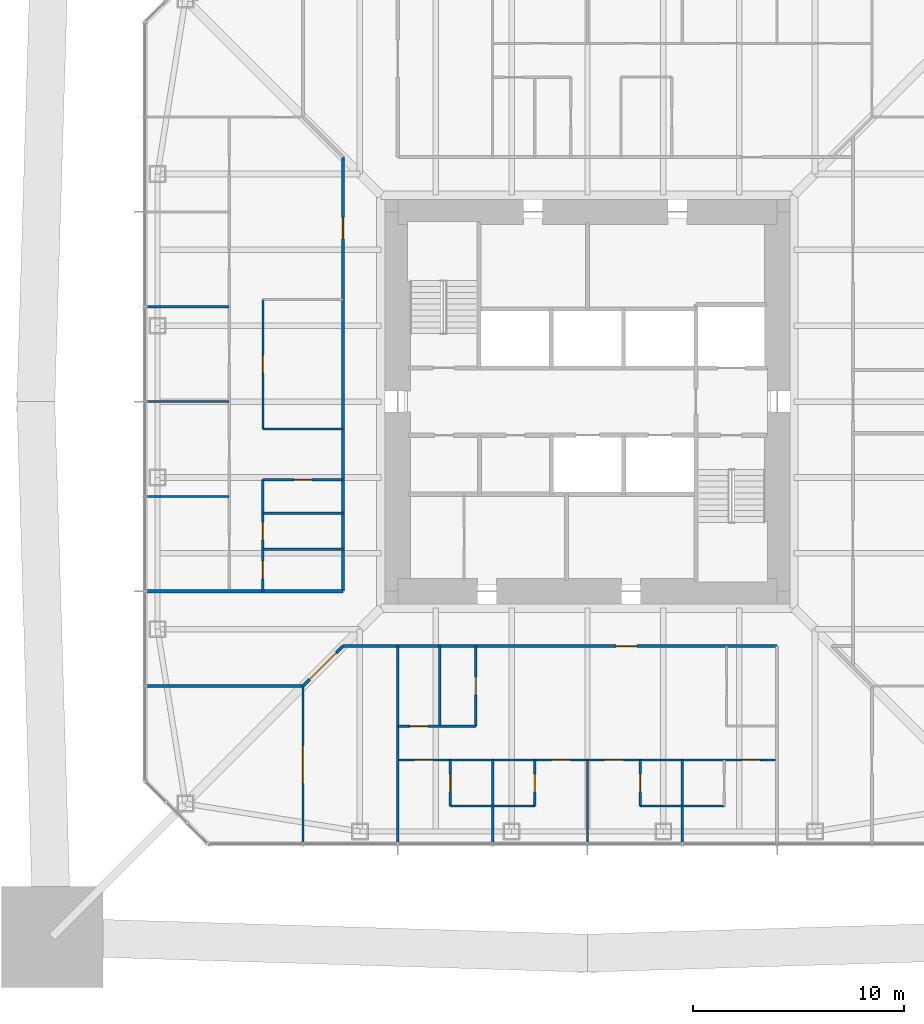
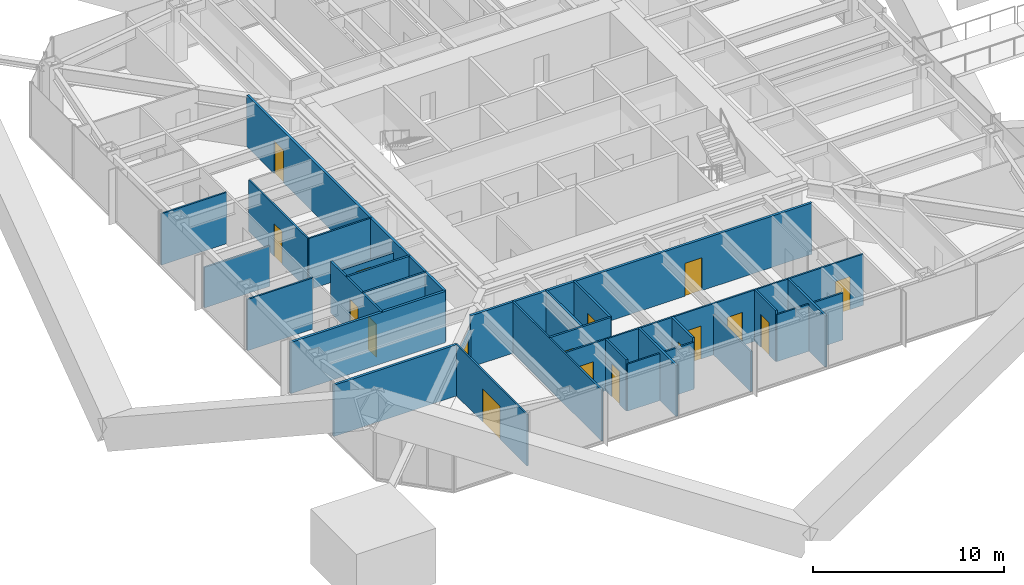
# One storey, part 17 of 28: 28 walls, 17 doors, 17 openings.
"""IFC4 building model written with IfcOpenShell, lengths in metres."""

from ifc_helpers import new_model, si_unit, direction, frame, frame_2d, origin, place, context, subcontext, project, spatial, rectangle, extrude, material, layer, layer_set, type_object, element, fill, save


model = new_model("IFC4")

# Units and contexts
model_context = context("Model", 3, precision=1e-05, world=origin(), true_north=direction((0.0, 1.0)))
body_context = subcontext(model_context, "Body", "Model", "MODEL_VIEW")
ifc_project = project(units=[si_unit("LENGTHUNIT", "METRE"), si_unit("AREAUNIT", "SQUARE_METRE"), si_unit("VOLUMEUNIT", "CUBIC_METRE"), si_unit("PLANEANGLEUNIT", "RADIAN"), si_unit("MASSUNIT", "GRAM", prefix="KILO")], contexts=[model_context])

# Site, building, storey
site_placement = place(None, origin())
site = spatial("IfcSite", under=ifc_project, at=site_placement, CompositionType="ELEMENT")
building_placement = place(site_placement, origin())
building = spatial("IfcBuilding", under=site, at=building_placement, Name="Iwan Alto Co-Living Towers", CompositionType="ELEMENT")
storey_placement = place(building_placement, frame((0.0, 0.0, 98.0)))
storey = spatial("IfcBuildingStorey", under=building, at=storey_placement, Name="L26", CompositionType="ELEMENT", Elevation=98.0)

# Wall
ifc_material_1 = material(Name="Gypsum board")
ifc_layer_1 = layer(ifc_material_1, 0.02490234375, Name="Board", Category="Finish")
ifc_material_2 = material(Name="Steel ASTM A1003 ST33H cold-formed studs", Category="steel")
ifc_layer_2 = layer(ifc_material_2, 0.10009765625, Name="Studs", Category="Framing")
ifc_layer_3 = layer(ifc_material_1, 0.02490234375, Name="Board", Category="Finish")
ifc_layer_set_1 = layer_set([ifc_layer_1, ifc_layer_2, ifc_layer_3], Name="CORRIDOR WALL 150")
wall_type_1 = type_object("IfcWallType", Name="CORRIDOR WALL 150", PredefinedType="PARTITIONING", material=ifc_layer_set_1)
wall_1_placement = place(storey_placement, frame((-20.93994140625, -13.5, 0.0), z_axis=(0.0, 0.0, 1.0), x_axis=(1.0, 0.0, 0.0)))
element("IfcWall", 1, at=wall_1_placement, inside=storey, type_object=wall_type_1, Name="Partition L26", PredefinedType="PARTITIONING", context=body_context, shape_type="SweptSolid", body=[
    extrude(rectangle(XDim=7.43994140625, YDim=0.14990234375, at=frame_2d((3.719970703125, 0.0))), origin(), (0.0, 0.0, 1.0), 3.27001953125),
])

# Wall, opening, door
wall_2_placement = place(storey_placement, frame((-11.60009765625, -11.60009765625, 0.0), z_axis=(0.0, 0.0, 1.0), x_axis=(1.0, 0.0, 0.0)))
wall_2 = element("IfcWall", 2, at=wall_2_placement, inside=storey, type_object=wall_type_1, Name="Partition L26", PredefinedType="PARTITIONING", context=body_context, shape_type="SweptSolid", body=[
    extrude(rectangle(XDim=20.60009765625, YDim=0.14990234375, at=frame_2d((10.300048828125, 0.0))), origin(), (0.0, 0.0, 1.0), 3.27001953125),
])
opening_1_placement = place(wall_2_placement, frame((12.949951171875, 0.0, 0.0)))
opening_1 = element("IfcOpeningElement", 3, at=opening_1_placement, cuts=wall_2, Name="Opening D3", PredefinedType="OPENING", context=body_context, shape_type="SweptSolid", body=[
    extrude(rectangle(XDim=1.0, YDim=2.10009765625, at=frame_2d((0.5, 1.050048828125))), frame((0.0, 0.0849609375, 0.0), z_axis=(0.0, -1.0, 0.0), x_axis=(1.0, 0.0, 0.0)), (0.0, 0.0, 1.0), 0.169921875),
])
ifc_material_3 = material(Name="Steel frame with timber leaf", Category="steel")
door_type_1 = type_object("IfcDoorType", Name="FLAT ENTRANCE DOOR FD30S 1000X2100", OperationType="SINGLE_SWING_LEFT", PredefinedType="DOOR", material=ifc_material_3)
door_1_placement = place(opening_1_placement, frame((1.0, 0.0, 0.0), z_axis=(0.0, 0.0, 1.0), x_axis=(-1.0, 0.0, 0.0)))
door_1 = element("IfcDoor", 4, at=door_1_placement, inside=storey, type_object=door_type_1, Name="Cluster lounge and shared kitchen door L26", OperationType="SINGLE_SWING_LEFT", OverallHeight=2.10009765625, OverallWidth=1.0, PredefinedType="DOOR", context=body_context, shape_type="SweptSolid", body=[
    extrude(rectangle(XDim=1.0, YDim=2.10009765625, at=frame_2d((0.5, 1.050048828125))), frame((0.0, 0.02490234375, 0.0), z_axis=(0.0, -1.0, 0.0), x_axis=(1.0, 0.0, 0.0)), (0.0, 0.0, 1.0), 0.050048828125),
])
fill(opening_1, door_1)

# Wall
wall_3_placement = place(storey_placement, frame((-20.93994140625, -9.0, 0.0), z_axis=(0.0, 0.0, 1.0), x_axis=(1.0, 0.0, 0.0)))
element("IfcWall", 5, at=wall_3_placement, inside=storey, type_object=wall_type_1, Name="Partition L26", PredefinedType="PARTITIONING", context=body_context, shape_type="SweptSolid", body=[
    extrude(rectangle(XDim=9.33984375, YDim=0.14990234375, at=frame_2d((4.669921875, 0.0))), origin(), (0.0, 0.0, 1.0), 3.27001953125),
])

# Wall, opening, door
wall_4_placement = place(storey_placement, frame((-13.5, -13.5, 0.0), z_axis=(0.0, 0.0, 1.0), x_axis=(0.707106781187, 0.707106781187, 0.0)))
wall_4 = element("IfcWall", 6, at=wall_4_placement, inside=storey, type_object=wall_type_1, Name="Partition L26", PredefinedType="PARTITIONING", context=body_context, shape_type="SweptSolid", body=[
    extrude(rectangle(XDim=2.686767578125, YDim=0.14990234375, at=frame_2d((1.34326171875, 0.0))), origin(), (0.0, 0.0, 1.0), 2.343017578125),
])
opening_2_placement = place(wall_4_placement, frame((0.444091796875, 0.0, 0.0)))
opening_2 = element("IfcOpeningElement", 7, at=opening_2_placement, cuts=wall_4, Name="Opening D9", PredefinedType="OPENING", context=body_context, shape_type="SweptSolid", body=[
    extrude(rectangle(XDim=1.800048828125, YDim=2.10009765625, at=frame_2d((0.89990234375, 1.050048828125))), frame((0.0, 0.0849609375, 0.0), z_axis=(0.0, -1.0, 0.0), x_axis=(1.0, 0.0, 0.0)), (0.0, 0.0, 1.0), 0.169921875),
])
ifc_material_4 = material(Name="Steel frame with timber leaf", Category="steel")
door_type_2 = type_object("IfcDoorType", Name="LOUNGE DOOR FD30S 1800X2100", OperationType="DOUBLE_DOOR_SINGLE_SWING", PredefinedType="DOOR", material=ifc_material_4)
door_2_placement = place(opening_2_placement, frame((1.800048828125, 0.0, 0.0), z_axis=(0.0, 0.0, 1.0), x_axis=(-1.0, 0.0, 0.0)))
door_2 = element("IfcDoor", 8, at=door_2_placement, inside=storey, type_object=door_type_2, Name="Seminar room door L26", OperationType="DOUBLE_DOOR_SINGLE_SWING", OverallHeight=2.10009765625, OverallWidth=1.800048828125, PredefinedType="DOOR", context=body_context, shape_type="SweptSolid", body=[
    extrude(rectangle(XDim=1.800048828125, YDim=2.10009765625, at=frame_2d((0.89990234375, 1.050048828125))), frame((0.0, 0.02490234375, 0.0), z_axis=(0.0, -1.0, 0.0), x_axis=(1.0, 0.0, 0.0)), (0.0, 0.0, 1.0), 0.050048828125),
])
fill(opening_2, door_2)

wall_5_placement = place(storey_placement, frame((-11.60009765625, -9.0, 0.0), z_axis=(0.0, 0.0, 1.0), x_axis=(0.0, 1.0, 0.0)))
wall_5 = element("IfcWall", 9, at=wall_5_placement, inside=storey, type_object=wall_type_1, Name="Partition L26", PredefinedType="PARTITIONING", context=body_context, shape_type="SweptSolid", body=[
    extrude(rectangle(XDim=20.60009765625, YDim=0.14990234375, at=frame_2d((10.300048828125, 0.0))), origin(), (0.0, 0.0, 1.0), 3.27001953125),
])
opening_3_placement = place(wall_5_placement, frame((16.72509765625, 0.0, 0.0)))
opening_3 = element("IfcOpeningElement", 10, at=opening_3_placement, cuts=wall_5, Name="Opening D3", PredefinedType="OPENING", context=body_context, shape_type="SweptSolid", body=[
    extrude(rectangle(XDim=1.0, YDim=2.10009765625, at=frame_2d((0.5, 1.050048828125))), frame((0.0, 0.0849609375, 0.0), z_axis=(0.0, -1.0, 0.0), x_axis=(1.0, 0.0, 0.0)), (0.0, 0.0, 1.0), 0.169921875),
])
door_3_placement = place(opening_3_placement, origin())
door_3 = element("IfcDoor", 11, at=door_3_placement, inside=storey, type_object=door_type_1, Name="Cluster lounge door L26", OperationType="SINGLE_SWING_LEFT", OverallHeight=2.10009765625, OverallWidth=1.0, PredefinedType="DOOR", context=body_context, shape_type="SweptSolid", body=[
    extrude(rectangle(XDim=1.0, YDim=2.10009765625, at=frame_2d((0.5, 1.050048828125))), frame((0.0, 0.02490234375, 0.0), z_axis=(0.0, -1.0, 0.0), x_axis=(1.0, 0.0, 0.0)), (0.0, 0.0, 1.0), 0.050048828125),
])
fill(opening_3, door_3)

# Walls
ifc_layer_4 = layer(ifc_material_1, 0.012451171875, Name="Board", Category="Finish")
ifc_layer_5 = layer(ifc_material_2, 0.074951171875, Name="Studs", Category="Framing")
ifc_layer_6 = layer(ifc_material_1, 0.012451171875, Name="Board", Category="Finish")
ifc_layer_set_2 = layer_set([ifc_layer_4, ifc_layer_5, ifc_layer_6], Name="PARTITION 100")
wall_type_2 = type_object("IfcWallType", Name="PARTITION 100", PredefinedType="PARTITIONING", material=ifc_layer_set_2)
for number, where, z_axis, x_axis, name in (
    (12, (-6.5, -19.199951171875, 0.0), (0.0, 0.0, 1.0), (1.0, 0.0, 0.0), "Partition L26"),
    (13, (2.5, -19.199951171875, 0.0), (0.0, 0.0, 1.0), (1.0, 0.0, 0.0), "Partition L26"),
):
    element("IfcWall", number, at=place(storey_placement, frame(where, z_axis=z_axis, x_axis=x_axis)), inside=storey, type_object=wall_type_2, Name=name, PredefinedType="PARTITIONING", context=body_context, shape_type="SweptSolid", body=[
        extrude(rectangle(XDim=4.0, YDim=0.10009765625, at=frame_2d((2.0, 0.0))), origin(), (0.0, 0.0, 1.0), 3.0),
    ])

# Wall, openings, doors
wall_6_placement = place(storey_placement, frame((-9.0, -17.0, 0.0), z_axis=(0.0, 0.0, 1.0), x_axis=(1.0, 0.0, 0.0)))
wall_6 = element("IfcWall", 14, at=wall_6_placement, inside=storey, type_object=wall_type_2, Name="Partition L26", PredefinedType="PARTITIONING", context=body_context, shape_type="SweptSolid", body=[
    extrude(rectangle(XDim=18.0, YDim=0.10009765625, at=frame_2d((9.0, 0.0))), origin(), (0.0, 0.0, 1.0), 3.27001953125),
])
opening_4_placement = place(wall_6_placement, frame((0.800048828125, 0.0, 0.0)))
opening_4 = element("IfcOpeningElement", 15, at=opening_4_placement, cuts=wall_6, Name="Opening D1", PredefinedType="OPENING", context=body_context, shape_type="SweptSolid", body=[
    extrude(rectangle(XDim=0.89990234375, YDim=2.10009765625, at=frame_2d((0.449951171875, 1.050048828125))), frame((0.0, 0.06005859375, 0.0), z_axis=(0.0, -1.0, 0.0), x_axis=(1.0, 0.0, 0.0)), (0.0, 0.0, 1.0), 0.1201171875),
])
opening_5_placement = place(wall_6_placement, frame((7.300048828125, 0.0, 0.0)))
opening_5 = element("IfcOpeningElement", 16, at=opening_5_placement, cuts=wall_6, Name="Opening D1", PredefinedType="OPENING", context=body_context, shape_type="SweptSolid", body=[
    extrude(rectangle(XDim=0.89990234375, YDim=2.10009765625, at=frame_2d((0.449951171875, 1.050048828125))), frame((0.0, 0.06005859375, 0.0), z_axis=(0.0, -1.0, 0.0), x_axis=(1.0, 0.0, 0.0)), (0.0, 0.0, 1.0), 0.1201171875),
])
opening_6_placement = place(wall_6_placement, frame((9.800048828125, 0.0, 0.0)))
opening_6 = element("IfcOpeningElement", 17, at=opening_6_placement, cuts=wall_6, Name="Opening D1", PredefinedType="OPENING", context=body_context, shape_type="SweptSolid", body=[
    extrude(rectangle(XDim=0.89990234375, YDim=2.10009765625, at=frame_2d((0.449951171875, 1.050048828125))), frame((0.0, 0.06005859375, 0.0), z_axis=(0.0, -1.0, 0.0), x_axis=(1.0, 0.0, 0.0)), (0.0, 0.0, 1.0), 0.1201171875),
])
opening_7_placement = place(wall_6_placement, frame((16.300048828125, 0.0, 0.0)))
opening_7 = element("IfcOpeningElement", 18, at=opening_7_placement, cuts=wall_6, Name="Opening D1", PredefinedType="OPENING", context=body_context, shape_type="SweptSolid", body=[
    extrude(rectangle(XDim=0.89990234375, YDim=2.10009765625, at=frame_2d((0.449951171875, 1.050048828125))), frame((0.0, 0.06005859375, 0.0), z_axis=(0.0, -1.0, 0.0), x_axis=(1.0, 0.0, 0.0)), (0.0, 0.0, 1.0), 0.1201171875),
])
ifc_material_5 = material(Name="Timber leaf in steel frame", Category="steel")
door_type_3 = type_object("IfcDoorType", Name="BEDROOM DOOR 900X2100", OperationType="SINGLE_SWING_LEFT", PredefinedType="DOOR", material=ifc_material_5)
door_4_placement = place(opening_4_placement, origin())
door_4 = element("IfcDoor", 19, at=door_4_placement, inside=storey, type_object=door_type_3, Name="Study bedroom door L26", OperationType="SINGLE_SWING_LEFT", OverallHeight=2.10009765625, OverallWidth=0.89990234375, PredefinedType="DOOR", context=body_context, shape_type="SweptSolid", body=[
    extrude(rectangle(XDim=0.89990234375, YDim=2.10009765625, at=frame_2d((0.449951171875, 1.050048828125))), frame((0.0, 0.02490234375, 0.0), z_axis=(0.0, -1.0, 0.0), x_axis=(1.0, 0.0, 0.0)), (0.0, 0.0, 1.0), 0.050048828125),
])
fill(opening_4, door_4)
door_5_placement = place(opening_5_placement, origin())
door_5 = element("IfcDoor", 20, at=door_5_placement, inside=storey, type_object=door_type_3, Name="Study bedroom door L26", OperationType="SINGLE_SWING_LEFT", OverallHeight=2.10009765625, OverallWidth=0.89990234375, PredefinedType="DOOR", context=body_context, shape_type="SweptSolid", body=[
    extrude(rectangle(XDim=0.89990234375, YDim=2.10009765625, at=frame_2d((0.449951171875, 1.050048828125))), frame((0.0, 0.02490234375, 0.0), z_axis=(0.0, -1.0, 0.0), x_axis=(1.0, 0.0, 0.0)), (0.0, 0.0, 1.0), 0.050048828125),
])
fill(opening_5, door_5)
door_6_placement = place(opening_6_placement, origin())
door_6 = element("IfcDoor", 21, at=door_6_placement, inside=storey, type_object=door_type_3, Name="Study bedroom door L26", OperationType="SINGLE_SWING_RIGHT", OverallHeight=2.10009765625, OverallWidth=0.89990234375, PredefinedType="DOOR", context=body_context, shape_type="SweptSolid", body=[
    extrude(rectangle(XDim=0.89990234375, YDim=2.10009765625, at=frame_2d((0.449951171875, 1.050048828125))), frame((0.0, 0.02490234375, 0.0), z_axis=(0.0, -1.0, 0.0), x_axis=(1.0, 0.0, 0.0)), (0.0, 0.0, 1.0), 0.050048828125),
])
fill(opening_6, door_6)
door_7_placement = place(opening_7_placement, origin())
door_7 = element("IfcDoor", 22, at=door_7_placement, inside=storey, type_object=door_type_3, Name="Study bedroom door L26", OperationType="SINGLE_SWING_RIGHT", OverallHeight=2.10009765625, OverallWidth=0.89990234375, PredefinedType="DOOR", context=body_context, shape_type="SweptSolid", body=[
    extrude(rectangle(XDim=0.89990234375, YDim=2.10009765625, at=frame_2d((0.449951171875, 1.050048828125))), frame((0.0, 0.02490234375, 0.0), z_axis=(0.0, -1.0, 0.0), x_axis=(1.0, 0.0, 0.0)), (0.0, 0.0, 1.0), 0.050048828125),
])
fill(opening_7, door_7)

# Walls
wall_7_placement = place(storey_placement, frame((-20.93994140625, -4.5, 0.0), z_axis=(0.0, 0.0, 1.0), x_axis=(1.0, 0.0, 0.0)))
element("IfcWall", 23, at=wall_7_placement, inside=storey, type_object=wall_type_2, Name="Partition L26", PredefinedType="PARTITIONING", context=body_context, shape_type="SweptSolid", body=[
    extrude(rectangle(XDim=3.93994140625, YDim=0.10009765625, at=frame_2d((1.969970703125, 0.0))), origin(), (0.0, 0.0, 1.0), 3.27001953125),
])
wall_8_placement = place(storey_placement, frame((-15.39990234375, -1.300048828125, 0.0), z_axis=(0.0, 0.0, 1.0), x_axis=(1.0, 0.0, 0.0)))
element("IfcWall", 24, at=wall_8_placement, inside=storey, type_object=wall_type_2, Name="Partition L26", PredefinedType="PARTITIONING", context=body_context, shape_type="SweptSolid", body=[
    extrude(rectangle(XDim=3.7998046875, YDim=0.10009765625, at=frame_2d((1.89990234375, 0.0))), origin(), (0.0, 0.0, 1.0), 3.27001953125),
])
wall_9_placement = place(storey_placement, frame((-20.93994140625, 0.0, 0.0), z_axis=(0.0, 0.0, 1.0), x_axis=(1.0, 0.0, 0.0)))
element("IfcWall", 25, at=wall_9_placement, inside=storey, type_object=wall_type_2, Name="Partition L26", PredefinedType="PARTITIONING", context=body_context, shape_type="SweptSolid", body=[
    extrude(rectangle(XDim=3.93994140625, YDim=0.10009765625, at=frame_2d((1.969970703125, 0.0))), origin(), (0.0, 0.0, 1.0), 2.586669921875),
])
wall_10_placement = place(storey_placement, frame((-20.93994140625, 4.5, 0.0), z_axis=(0.0, 0.0, 1.0), x_axis=(1.0, 0.0, 0.0)))
element("IfcWall", 26, at=wall_10_placement, inside=storey, type_object=wall_type_2, Name="Partition L26", PredefinedType="PARTITIONING", context=body_context, shape_type="SweptSolid", body=[
    extrude(rectangle(XDim=3.93994140625, YDim=0.10009765625, at=frame_2d((1.969970703125, 0.0))), origin(), (0.0, 0.0, 1.0), 3.27001953125),
])
wall_11_placement = place(storey_placement, frame((0.0, -20.93994140625, 0.0), z_axis=(0.0, 0.0, 1.0), x_axis=(0.0, 1.0, 0.0)))
element("IfcWall", 27, at=wall_11_placement, inside=storey, type_object=wall_type_2, Name="Partition L26", PredefinedType="PARTITIONING", context=body_context, shape_type="SweptSolid", body=[
    extrude(rectangle(XDim=3.93994140625, YDim=0.10009765625, at=frame_2d((1.969970703125, 0.0))), origin(), (0.0, 0.0, 1.0), 2.586669921875),
])
wall_12_placement = place(storey_placement, frame((-9.0, -20.93994140625, 0.0), z_axis=(0.0, 0.0, 1.0), x_axis=(0.0, 1.0, 0.0)))
element("IfcWall", 28, at=wall_12_placement, inside=storey, type_object=wall_type_2, Name="Partition L26", PredefinedType="PARTITIONING", context=body_context, shape_type="SweptSolid", body=[
    extrude(rectangle(XDim=9.33984375, YDim=0.10009765625, at=frame_2d((4.669921875, 0.0))), origin(), (0.0, 0.0, 1.0), 3.27001953125),
])

# Wall, opening, door
wall_13_placement = place(storey_placement, frame((-13.5, -20.93994140625, 0.0), z_axis=(0.0, 0.0, 1.0), x_axis=(0.0, 1.0, 0.0)))
wall_13 = element("IfcWall", 29, at=wall_13_placement, inside=storey, type_object=wall_type_2, Name="Partition L26", PredefinedType="PARTITIONING", context=body_context, shape_type="SweptSolid", body=[
    extrude(rectangle(XDim=7.43994140625, YDim=0.10009765625, at=frame_2d((3.719970703125, 0.0))), origin(), (0.0, 0.0, 1.0), 3.27001953125),
])
opening_8_placement = place(wall_13_placement, frame((2.820068359375, 0.0, 0.0)))
opening_8 = element("IfcOpeningElement", 30, at=opening_8_placement, cuts=wall_13, Name="Opening D14", PredefinedType="OPENING", context=body_context, shape_type="SweptSolid", body=[
    extrude(rectangle(XDim=1.800048828125, YDim=2.10009765625, at=frame_2d((0.89990234375, 1.050048828125))), frame((0.0, 0.06005859375, 0.0), z_axis=(0.0, -1.0, 0.0), x_axis=(1.0, 0.0, 0.0)), (0.0, 0.0, 1.0), 0.1201171875),
])
ifc_material_6 = material(Name="Timber leaf in steel frame", Category="steel")
door_type_4 = type_object("IfcDoorType", Name="LOUNGE DOOR 1800X2100", OperationType="DOUBLE_DOOR_SINGLE_SWING", PredefinedType="DOOR", material=ifc_material_6)
door_8_placement = place(opening_8_placement, origin())
door_8 = element("IfcDoor", 31, at=door_8_placement, inside=storey, type_object=door_type_4, Name="Courtyard lounge door L26", OperationType="DOUBLE_DOOR_SINGLE_SWING", OverallHeight=2.10009765625, OverallWidth=1.800048828125, PredefinedType="DOOR", context=body_context, shape_type="SweptSolid", body=[
    extrude(rectangle(XDim=1.800048828125, YDim=2.10009765625, at=frame_2d((0.89990234375, 1.050048828125))), frame((0.0, 0.02490234375, 0.0), z_axis=(0.0, -1.0, 0.0), x_axis=(1.0, 0.0, 0.0)), (0.0, 0.0, 1.0), 0.050048828125),
])
fill(opening_8, door_8)

wall_14_placement = place(storey_placement, frame((-15.39990234375, -1.300048828125, 0.0), z_axis=(0.0, 0.0, 1.0), x_axis=(0.0, 1.0, 0.0)))
wall_14 = element("IfcWall", 32, at=wall_14_placement, inside=storey, type_object=wall_type_2, Name="Partition L26", PredefinedType="PARTITIONING", context=body_context, shape_type="SweptSolid", body=[
    extrude(rectangle(XDim=6.150146484375, YDim=0.10009765625, at=frame_2d((3.0751953125, 0.0))), origin(), (0.0, 0.0, 1.0), 3.27001953125),
])
opening_9_placement = place(wall_14_placement, frame((2.64990234375, 0.0, 0.0)))
opening_9 = element("IfcOpeningElement", 33, at=opening_9_placement, cuts=wall_14, Name="Opening D2", PredefinedType="OPENING", context=body_context, shape_type="SweptSolid", body=[
    extrude(rectangle(XDim=0.85009765625, YDim=2.10009765625, at=frame_2d((0.425048828125, 1.050048828125))), frame((0.0, 0.06005859375, 0.0), z_axis=(0.0, -1.0, 0.0), x_axis=(1.0, 0.0, 0.0)), (0.0, 0.0, 1.0), 0.1201171875),
])
ifc_material_7 = material(Name="Timber leaf in steel frame", Category="steel")
door_type_5 = type_object("IfcDoorType", Name="ROOM DOOR 850X2100", OperationType="SINGLE_SWING_LEFT", PredefinedType="DOOR", material=ifc_material_7)
door_9_placement = place(opening_9_placement, origin())
door_9 = element("IfcDoor", 34, at=door_9_placement, inside=storey, type_object=door_type_5, Name="Study room door L26", OperationType="SINGLE_SWING_LEFT", OverallHeight=2.10009765625, OverallWidth=0.85009765625, PredefinedType="DOOR", context=body_context, shape_type="SweptSolid", body=[
    extrude(rectangle(XDim=0.85009765625, YDim=2.10009765625, at=frame_2d((0.425048828125, 1.050048828125))), frame((0.0, 0.02490234375, 0.0), z_axis=(0.0, -1.0, 0.0), x_axis=(1.0, 0.0, 0.0)), (0.0, 0.0, 1.0), 0.050048828125),
])
fill(opening_9, door_9)

ifc_material_8 = material(Name="Cement board")
ifc_layer_7 = layer(ifc_material_8, 0.012451171875, Name="Board", Category="Finish")
ifc_layer_8 = layer(ifc_material_2, 0.094970703125, Name="Studs", Category="Framing")
ifc_layer_9 = layer(ifc_material_8, 0.012451171875, Name="Board", Category="Finish")
ifc_layer_set_3 = layer_set([ifc_layer_7, ifc_layer_8, ifc_layer_9], Name="WET AREA PARTITION 120")
wall_type_3 = type_object("IfcWallType", Name="WET AREA PARTITION 120", PredefinedType="PARTITIONING", material=ifc_layer_set_3)
wall_15_placement = place(storey_placement, frame((-9.0, -15.39990234375, 0.0), z_axis=(0.0, 0.0, 1.0), x_axis=(1.0, 0.0, 0.0)))
wall_15 = element("IfcWall", 35, at=wall_15_placement, inside=storey, type_object=wall_type_3, Name="Partition L26", PredefinedType="PARTITIONING", context=body_context, shape_type="SweptSolid", body=[
    extrude(rectangle(XDim=3.699951171875, YDim=0.1201171875, at=frame_2d((1.85009765625, 0.0))), origin(), (0.0, 0.0, 1.0), 3.27001953125),
])
opening_10_placement = place(wall_15_placement, frame((0.574951171875, 0.0, 0.0)))
opening_10 = element("IfcOpeningElement", 36, at=opening_10_placement, cuts=wall_15, Name="Opening D2", PredefinedType="OPENING", context=body_context, shape_type="SweptSolid", body=[
    extrude(rectangle(XDim=0.85009765625, YDim=2.10009765625, at=frame_2d((0.425048828125, 1.050048828125))), frame((0.0, 0.070068359375, 0.0), z_axis=(0.0, -1.0, 0.0), x_axis=(1.0, 0.0, 0.0)), (0.0, 0.0, 1.0), 0.14013671875),
])
door_10_placement = place(opening_10_placement, frame((0.85009765625, 0.0, 0.0), z_axis=(0.0, 0.0, 1.0), x_axis=(-1.0, 0.0, 0.0)))
door_10 = element("IfcDoor", 37, at=door_10_placement, inside=storey, type_object=door_type_5, Name="Laundry door L26", OperationType="SINGLE_SWING_RIGHT", OverallHeight=2.10009765625, OverallWidth=0.85009765625, PredefinedType="DOOR", context=body_context, shape_type="SweptSolid", body=[
    extrude(rectangle(XDim=0.85009765625, YDim=2.10009765625, at=frame_2d((0.425048828125, 1.050048828125))), frame((0.0, 0.02490234375, 0.0), z_axis=(0.0, -1.0, 0.0), x_axis=(1.0, 0.0, 0.0)), (0.0, 0.0, 1.0), 0.050048828125),
])
fill(opening_10, door_10)

# Walls
for number, where, z_axis, x_axis, name in (
    (38, (-15.39990234375, -7.0, 0.0), (0.0, 0.0, 1.0), (1.0, 0.0, 0.0), "Partition L26"),
    (39, (-15.39990234375, -5.300048828125, 0.0), (0.0, 0.0, 1.0), (1.0, 0.0, 0.0), "Partition L26"),
):
    element("IfcWall", number, at=place(storey_placement, frame(where, z_axis=z_axis, x_axis=x_axis)), inside=storey, type_object=wall_type_3, Name=name, PredefinedType="PARTITIONING", context=body_context, shape_type="SweptSolid", body=[
        extrude(rectangle(XDim=3.7998046875, YDim=0.1201171875, at=frame_2d((1.89990234375, 0.0))), origin(), (0.0, 0.0, 1.0), 3.27001953125),
    ])

# Wall, opening, door
wall_16_placement = place(storey_placement, frame((-15.39990234375, -3.699951171875, 0.0), z_axis=(0.0, 0.0, 1.0), x_axis=(1.0, 0.0, 0.0)))
wall_16 = element("IfcWall", 40, at=wall_16_placement, inside=storey, type_object=wall_type_3, Name="Partition L26", PredefinedType="PARTITIONING", context=body_context, shape_type="SweptSolid", body=[
    extrude(rectangle(XDim=3.7998046875, YDim=0.1201171875, at=frame_2d((1.89990234375, 0.0))), origin(), (0.0, 0.0, 1.0), 2.508056640625),
])
opening_11_placement = place(wall_16_placement, frame((1.47509765625, 0.0, 0.0)))
opening_11 = element("IfcOpeningElement", 41, at=opening_11_placement, cuts=wall_16, Name="Opening D2", PredefinedType="OPENING", context=body_context, shape_type="SweptSolid", body=[
    extrude(rectangle(XDim=0.85009765625, YDim=2.10009765625, at=frame_2d((0.425048828125, 1.050048828125))), frame((0.0, 0.070068359375, 0.0), z_axis=(0.0, -1.0, 0.0), x_axis=(1.0, 0.0, 0.0)), (0.0, 0.0, 1.0), 0.14013671875),
])
door_11_placement = place(opening_11_placement, origin())
door_11 = element("IfcDoor", 42, at=door_11_placement, inside=storey, type_object=door_type_5, Name="Bathroom door L26", OperationType="SINGLE_SWING_RIGHT", OverallHeight=2.10009765625, OverallWidth=0.85009765625, PredefinedType="DOOR", context=body_context, shape_type="SweptSolid", body=[
    extrude(rectangle(XDim=0.85009765625, YDim=2.10009765625, at=frame_2d((0.425048828125, 1.050048828125))), frame((0.0, 0.02490234375, 0.0), z_axis=(0.0, -1.0, 0.0), x_axis=(1.0, 0.0, 0.0)), (0.0, 0.0, 1.0), 0.050048828125),
])
fill(opening_11, door_11)

# Wall
wall_17_placement = place(storey_placement, frame((4.5, -20.93994140625, 0.0), z_axis=(0.0, 0.0, 1.0), x_axis=(0.0, 1.0, 0.0)))
element("IfcWall", 43, at=wall_17_placement, inside=storey, type_object=wall_type_3, Name="Partition L26", PredefinedType="PARTITIONING", context=body_context, shape_type="SweptSolid", body=[
    extrude(rectangle(XDim=3.93994140625, YDim=0.1201171875, at=frame_2d((1.969970703125, 0.0))), origin(), (0.0, 0.0, 1.0), 3.27001953125),
])

# Wall, opening, door
wall_18_placement = place(storey_placement, frame((2.5, -19.199951171875, 0.0), z_axis=(0.0, 0.0, 1.0), x_axis=(0.0, 1.0, 0.0)))
wall_18 = element("IfcWall", 44, at=wall_18_placement, inside=storey, type_object=wall_type_3, Name="Partition L26", PredefinedType="PARTITIONING", context=body_context, shape_type="SweptSolid", body=[
    extrude(rectangle(XDim=2.199951171875, YDim=0.1201171875, at=frame_2d((1.10009765625, 0.0))), origin(), (0.0, 0.0, 1.0), 3.27001953125),
])
opening_12_placement = place(wall_18_placement, frame((0.675048828125, 0.0, 0.0)))
opening_12 = element("IfcOpeningElement", 45, at=opening_12_placement, cuts=wall_18, Name="Opening D2", PredefinedType="OPENING", context=body_context, shape_type="SweptSolid", body=[
    extrude(rectangle(XDim=0.85009765625, YDim=2.10009765625, at=frame_2d((0.425048828125, 1.050048828125))), frame((0.0, 0.070068359375, 0.0), z_axis=(0.0, -1.0, 0.0), x_axis=(1.0, 0.0, 0.0)), (0.0, 0.0, 1.0), 0.14013671875),
])
door_12_placement = place(opening_12_placement, origin())
door_12 = element("IfcDoor", 46, at=door_12_placement, inside=storey, type_object=door_type_5, Name="En-suite shower room door L26", OperationType="SINGLE_SWING_RIGHT", OverallHeight=2.10009765625, OverallWidth=0.85009765625, PredefinedType="DOOR", context=body_context, shape_type="SweptSolid", body=[
    extrude(rectangle(XDim=0.85009765625, YDim=2.10009765625, at=frame_2d((0.425048828125, 1.050048828125))), frame((0.0, 0.02490234375, 0.0), z_axis=(0.0, -1.0, 0.0), x_axis=(1.0, 0.0, 0.0)), (0.0, 0.0, 1.0), 0.050048828125),
])
fill(opening_12, door_12)

wall_19_placement = place(storey_placement, frame((-2.5, -19.199951171875, 0.0), z_axis=(0.0, 0.0, 1.0), x_axis=(0.0, 1.0, 0.0)))
wall_19 = element("IfcWall", 47, at=wall_19_placement, inside=storey, type_object=wall_type_3, Name="Partition L26", PredefinedType="PARTITIONING", context=body_context, shape_type="SweptSolid", body=[
    extrude(rectangle(XDim=2.199951171875, YDim=0.1201171875, at=frame_2d((1.10009765625, 0.0))), origin(), (0.0, 0.0, 1.0), 3.27001953125),
])
opening_13_placement = place(wall_19_placement, frame((0.675048828125, 0.0, 0.0)))
opening_13 = element("IfcOpeningElement", 48, at=opening_13_placement, cuts=wall_19, Name="Opening D2", PredefinedType="OPENING", context=body_context, shape_type="SweptSolid", body=[
    extrude(rectangle(XDim=0.85009765625, YDim=2.10009765625, at=frame_2d((0.425048828125, 1.050048828125))), frame((0.0, 0.070068359375, 0.0), z_axis=(0.0, -1.0, 0.0), x_axis=(1.0, 0.0, 0.0)), (0.0, 0.0, 1.0), 0.14013671875),
])
door_13_placement = place(opening_13_placement, frame((0.85009765625, 0.0, 0.0), z_axis=(0.0, 0.0, 1.0), x_axis=(-1.0, 0.0, 0.0)))
door_13 = element("IfcDoor", 49, at=door_13_placement, inside=storey, type_object=door_type_5, Name="En-suite shower room door L26", OperationType="SINGLE_SWING_LEFT", OverallHeight=2.10009765625, OverallWidth=0.85009765625, PredefinedType="DOOR", context=body_context, shape_type="SweptSolid", body=[
    extrude(rectangle(XDim=0.85009765625, YDim=2.10009765625, at=frame_2d((0.425048828125, 1.050048828125))), frame((0.0, 0.02490234375, 0.0), z_axis=(0.0, -1.0, 0.0), x_axis=(1.0, 0.0, 0.0)), (0.0, 0.0, 1.0), 0.050048828125),
])
fill(opening_13, door_13)

# Wall
wall_20_placement = place(storey_placement, frame((-4.5, -20.93994140625, 0.0), z_axis=(0.0, 0.0, 1.0), x_axis=(0.0, 1.0, 0.0)))
element("IfcWall", 50, at=wall_20_placement, inside=storey, type_object=wall_type_3, Name="Partition L26", PredefinedType="PARTITIONING", context=body_context, shape_type="SweptSolid", body=[
    extrude(rectangle(XDim=3.93994140625, YDim=0.1201171875, at=frame_2d((1.969970703125, 0.0))), origin(), (0.0, 0.0, 1.0), 3.27001953125),
])

# Wall, opening, door
wall_21_placement = place(storey_placement, frame((-5.300048828125, -15.39990234375, 0.0), z_axis=(0.0, 0.0, 1.0), x_axis=(0.0, 1.0, 0.0)))
wall_21 = element("IfcWall", 51, at=wall_21_placement, inside=storey, type_object=wall_type_3, Name="Partition L26", PredefinedType="PARTITIONING", context=body_context, shape_type="SweptSolid", body=[
    extrude(rectangle(XDim=3.7998046875, YDim=0.1201171875, at=frame_2d((1.89990234375, 0.0))), origin(), (0.0, 0.0, 1.0), 3.27001953125),
])
opening_14_placement = place(wall_21_placement, frame((1.47509765625, 0.0, 0.0)))
opening_14 = element("IfcOpeningElement", 52, at=opening_14_placement, cuts=wall_21, Name="Opening D2", PredefinedType="OPENING", context=body_context, shape_type="SweptSolid", body=[
    extrude(rectangle(XDim=0.85009765625, YDim=2.10009765625, at=frame_2d((0.425048828125, 1.050048828125))), frame((0.0, 0.070068359375, 0.0), z_axis=(0.0, -1.0, 0.0), x_axis=(1.0, 0.0, 0.0)), (0.0, 0.0, 1.0), 0.14013671875),
])
door_14_placement = place(opening_14_placement, frame((0.85009765625, 0.0, 0.0), z_axis=(0.0, 0.0, 1.0), x_axis=(-1.0, 0.0, 0.0)))
door_14 = element("IfcDoor", 53, at=door_14_placement, inside=storey, type_object=door_type_5, Name="Bathroom door L26", OperationType="SINGLE_SWING_LEFT", OverallHeight=2.10009765625, OverallWidth=0.85009765625, PredefinedType="DOOR", context=body_context, shape_type="SweptSolid", body=[
    extrude(rectangle(XDim=0.85009765625, YDim=2.10009765625, at=frame_2d((0.425048828125, 1.050048828125))), frame((0.0, 0.02490234375, 0.0), z_axis=(0.0, -1.0, 0.0), x_axis=(1.0, 0.0, 0.0)), (0.0, 0.0, 1.0), 0.050048828125),
])
fill(opening_14, door_14)

wall_22_placement = place(storey_placement, frame((-6.5, -19.199951171875, 0.0), z_axis=(0.0, 0.0, 1.0), x_axis=(0.0, 1.0, 0.0)))
wall_22 = element("IfcWall", 54, at=wall_22_placement, inside=storey, type_object=wall_type_3, Name="Partition L26", PredefinedType="PARTITIONING", context=body_context, shape_type="SweptSolid", body=[
    extrude(rectangle(XDim=2.199951171875, YDim=0.1201171875, at=frame_2d((1.10009765625, 0.0))), origin(), (0.0, 0.0, 1.0), 3.27001953125),
])
opening_15_placement = place(wall_22_placement, frame((0.675048828125, 0.0, 0.0)))
opening_15 = element("IfcOpeningElement", 55, at=opening_15_placement, cuts=wall_22, Name="Opening D2", PredefinedType="OPENING", context=body_context, shape_type="SweptSolid", body=[
    extrude(rectangle(XDim=0.85009765625, YDim=2.10009765625, at=frame_2d((0.425048828125, 1.050048828125))), frame((0.0, 0.070068359375, 0.0), z_axis=(0.0, -1.0, 0.0), x_axis=(1.0, 0.0, 0.0)), (0.0, 0.0, 1.0), 0.14013671875),
])
door_15_placement = place(opening_15_placement, origin())
door_15 = element("IfcDoor", 56, at=door_15_placement, inside=storey, type_object=door_type_5, Name="En-suite shower room door L26", OperationType="SINGLE_SWING_RIGHT", OverallHeight=2.10009765625, OverallWidth=0.85009765625, PredefinedType="DOOR", context=body_context, shape_type="SweptSolid", body=[
    extrude(rectangle(XDim=0.85009765625, YDim=2.10009765625, at=frame_2d((0.425048828125, 1.050048828125))), frame((0.0, 0.02490234375, 0.0), z_axis=(0.0, -1.0, 0.0), x_axis=(1.0, 0.0, 0.0)), (0.0, 0.0, 1.0), 0.050048828125),
])
fill(opening_15, door_15)

# Wall
wall_23_placement = place(storey_placement, frame((-7.0, -15.39990234375, 0.0), z_axis=(0.0, 0.0, 1.0), x_axis=(0.0, 1.0, 0.0)))
element("IfcWall", 57, at=wall_23_placement, inside=storey, type_object=wall_type_3, Name="Partition L26", PredefinedType="PARTITIONING", context=body_context, shape_type="SweptSolid", body=[
    extrude(rectangle(XDim=3.7998046875, YDim=0.1201171875, at=frame_2d((1.89990234375, 0.0))), origin(), (0.0, 0.0, 1.0), 3.27001953125),
])

# Wall, openings, doors
wall_24_placement = place(storey_placement, frame((-15.39990234375, -9.0, 0.0), z_axis=(0.0, 0.0, 1.0), x_axis=(0.0, 1.0, 0.0)))
wall_24 = element("IfcWall", 58, at=wall_24_placement, inside=storey, type_object=wall_type_3, Name="Partition L26", PredefinedType="PARTITIONING", context=body_context, shape_type="SweptSolid", body=[
    extrude(rectangle(XDim=5.300048828125, YDim=0.1201171875, at=frame_2d((2.64990234375, 0.0))), origin(), (0.0, 0.0, 1.0), 3.27001953125),
])
opening_16_placement = place(wall_24_placement, frame((2.425048828125, 0.0, 0.0)))
opening_16 = element("IfcOpeningElement", 59, at=opening_16_placement, cuts=wall_24, Name="Opening D2", PredefinedType="OPENING", context=body_context, shape_type="SweptSolid", body=[
    extrude(rectangle(XDim=0.85009765625, YDim=2.10009765625, at=frame_2d((0.425048828125, 1.050048828125))), frame((0.0, 0.070068359375, 0.0), z_axis=(0.0, -1.0, 0.0), x_axis=(1.0, 0.0, 0.0)), (0.0, 0.0, 1.0), 0.14013671875),
])
opening_17_placement = place(wall_24_placement, frame((0.574951171875, 0.0, 0.0)))
opening_17 = element("IfcOpeningElement", 60, at=opening_17_placement, cuts=wall_24, Name="Opening D2", PredefinedType="OPENING", context=body_context, shape_type="SweptSolid", body=[
    extrude(rectangle(XDim=0.85009765625, YDim=2.10009765625, at=frame_2d((0.425048828125, 1.050048828125))), frame((0.0, 0.070068359375, 0.0), z_axis=(0.0, -1.0, 0.0), x_axis=(1.0, 0.0, 0.0)), (0.0, 0.0, 1.0), 0.14013671875),
])
door_16_placement = place(opening_16_placement, origin())
door_16 = element("IfcDoor", 61, at=door_16_placement, inside=storey, type_object=door_type_5, Name="Bathroom door L26", OperationType="SINGLE_SWING_LEFT", OverallHeight=2.10009765625, OverallWidth=0.85009765625, PredefinedType="DOOR", context=body_context, shape_type="SweptSolid", body=[
    extrude(rectangle(XDim=0.85009765625, YDim=2.10009765625, at=frame_2d((0.425048828125, 1.050048828125))), frame((0.0, 0.02490234375, 0.0), z_axis=(0.0, -1.0, 0.0), x_axis=(1.0, 0.0, 0.0)), (0.0, 0.0, 1.0), 0.050048828125),
])
fill(opening_16, door_16)
door_17_placement = place(opening_17_placement, origin())
door_17 = element("IfcDoor", 62, at=door_17_placement, inside=storey, type_object=door_type_5, Name="Laundry door L26", OperationType="SINGLE_SWING_LEFT", OverallHeight=2.10009765625, OverallWidth=0.85009765625, PredefinedType="DOOR", context=body_context, shape_type="SweptSolid", body=[
    extrude(rectangle(XDim=0.85009765625, YDim=2.10009765625, at=frame_2d((0.425048828125, 1.050048828125))), frame((0.0, 0.02490234375, 0.0), z_axis=(0.0, -1.0, 0.0), x_axis=(1.0, 0.0, 0.0)), (0.0, 0.0, 1.0), 0.050048828125),
])
fill(opening_17, door_17)

save(model, "model.ifc")
